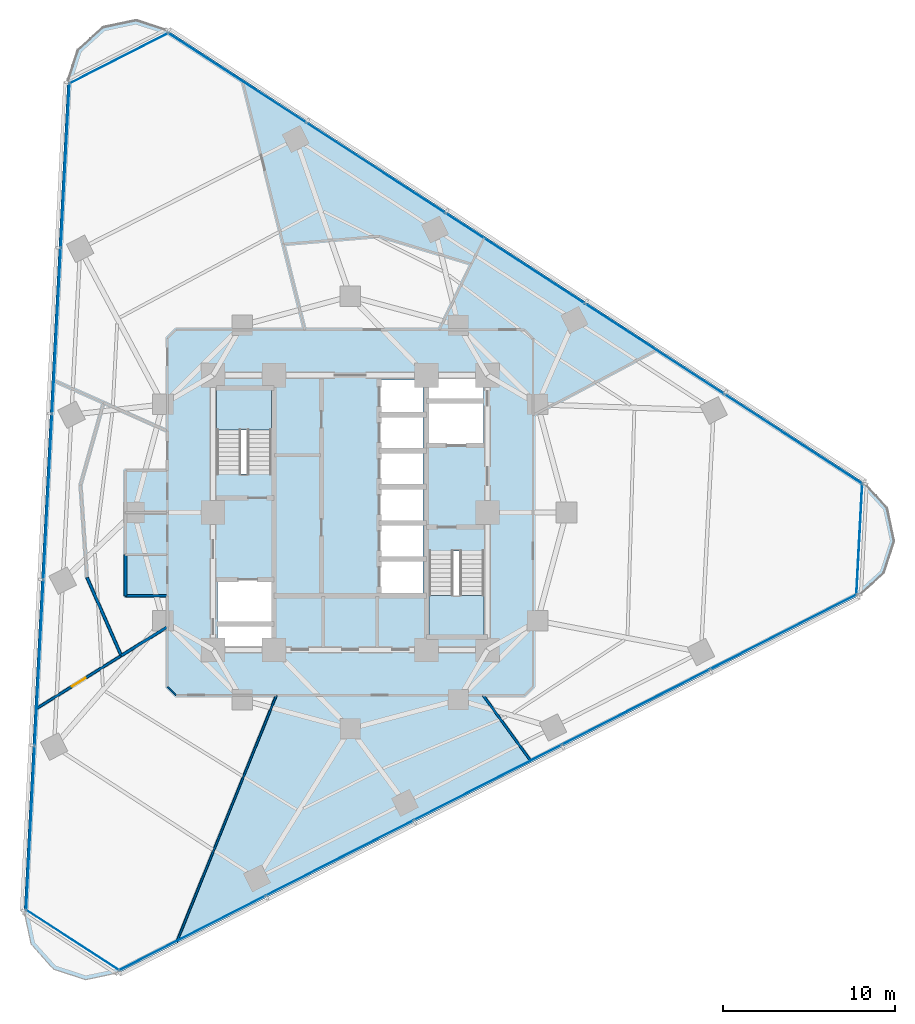
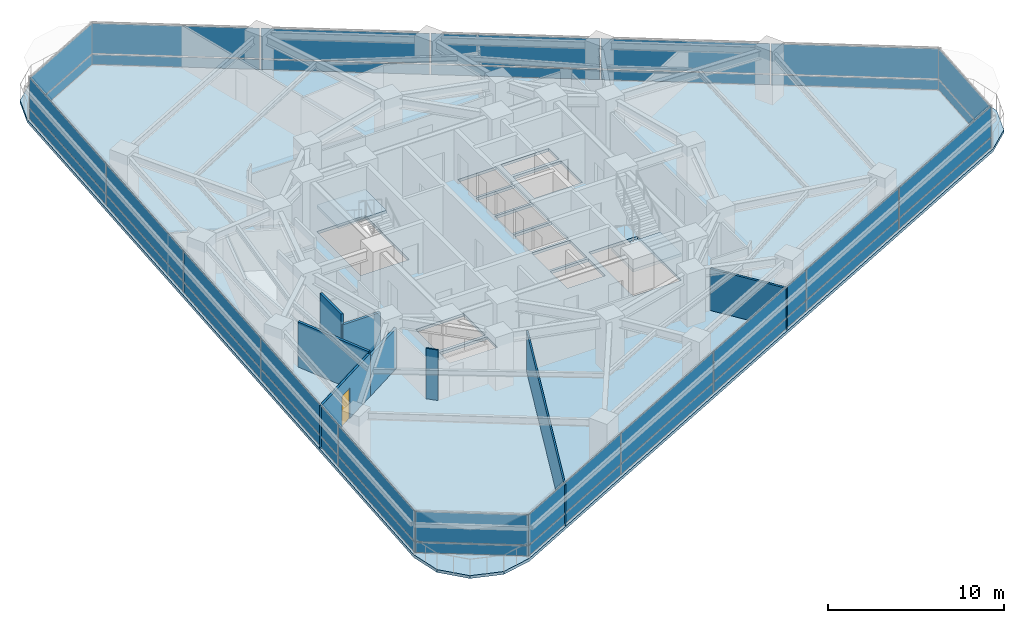
# One storey, part 7 of 14: 36 plates, 8 walls, 3 slabs, 1 door, 1 opening, 8 elements without a shape of their own.
"""IFC4 building model written with IfcOpenShell, lengths in metres."""

from ifc_helpers import new_model, si_unit, direction, frame, frame_2d, origin, origin_2d, place, context, subcontext, project, spatial, polyline, rectangle, outline, extrude, material, layer, layer_set, type_object, element, fill, aggregate, save


model = new_model("IFC4")

# Units and contexts
model_context = context("Model", 3, precision=1e-05, world=origin(), true_north=direction((0.0, 1.0)))
body_context = subcontext(model_context, "Body", "Model", "MODEL_VIEW")
ifc_project = project(units=[si_unit("LENGTHUNIT", "METRE"), si_unit("AREAUNIT", "SQUARE_METRE"), si_unit("VOLUMEUNIT", "CUBIC_METRE"), si_unit("PLANEANGLEUNIT", "RADIAN"), si_unit("MASSUNIT", "GRAM", prefix="KILO")], contexts=[model_context])

# Site, building, storey
site_placement = place(None, origin())
site = spatial("IfcSite", under=ifc_project, at=site_placement, CompositionType="ELEMENT")
building_placement = place(site_placement, origin())
building = spatial("IfcBuilding", under=site, at=building_placement, Name="Terralouvre Media Tower", CompositionType="ELEMENT")
storey_placement = place(building_placement, frame((0.0, 0.0, 138.39990234375)))
storey = spatial("IfcBuildingStorey", under=building, at=storey_placement, Name="L35", CompositionType="ELEMENT", Elevation=138.39990234375)

# Slab
ifc_material_1 = material(Name="Concrete C40/50", Category="concrete")
ifc_layer_1 = layer(ifc_material_1, 0.199951171875, Name="Composite Tower Floor Slab S-TYP200")
ifc_layer_set_1 = layer_set([ifc_layer_1], Name="Concrete C40/50")
slab_type_1 = type_object("IfcSlabType", Name="Composite Tower Floor Slab S-TYP200", PredefinedType="FLOOR", material=ifc_layer_set_1)
slab_1_placement = place(storey_placement, frame((0.0, 0.0, -0.199951171875), z_axis=(0.0, 0.0, 1.0), x_axis=(0.891006524188, 0.45399049974, 0.0)))
element("IfcSlab", 1, at=slab_1_placement, inside=storey, type_object=slab_type_1, Name="L35 Structural Floor Slab", PredefinedType="FLOOR", context=body_context, shape_type="SweptSolid", body=[
    extrude(outline(polyline([(-27.490966796875, -12.07177734375), (-28.0, -13.971923828125), (-27.490966796875, -15.871826171875), (-26.10009765625, -17.2626953125), (-24.199951171875, -17.77197265625), (24.199951171875, -17.77197265625), (26.10009765625, -17.2626953125), (27.490966796875, -15.871826171875), (28.0, -13.971923828125), (27.490966796875, -12.07177734375), (3.291015625, 29.84375), (1.89990234375, 31.234619140625), (0.0, 31.74365234375), (-1.89990234375, 31.234619140625), (-3.291015625, 29.84375), (-27.490966796875, -12.07177734375)]), holes=[polyline([(-7.094970703125, -3.792236328125), (-7.6396484375, -4.861572265625), (-10.446533203125, -3.431396484375), (-9.901611328125, -2.3623046875), (-7.094970703125, -3.792236328125)]), polyline([(-7.004150390625, -3.614013671875), (-9.810791015625, -2.18408203125), (-8.698486328125, -0.0009765625), (-5.891845703125, -1.43115234375), (-7.004150390625, -3.614013671875)]), polyline([(4.504150390625, -0.521728515625), (2.276611328125, 0.61328125), (3.1572265625, 2.341796875), (5.384765625, 1.206787109375), (4.504150390625, -0.521728515625)]), polyline([(6.338134765625, 3.077880859375), (5.45751953125, 1.349365234375), (3.22998046875, 2.484375), (4.110595703125, 4.212890625), (6.338134765625, 3.077880859375)]), polyline([(-3.079345703125, 4.088623046875), (-5.912841796875, 5.532470703125), (-3.635986328125, 10.000732421875), (-0.802734375, 8.55712890625), (-3.079345703125, 4.088623046875)]), polyline([(6.410888671875, 3.220458984375), (4.183349609375, 4.35546875), (5.06396484375, 6.083984375), (7.29150390625, 4.94921875), (6.410888671875, 3.220458984375)]), polyline([(0.802734375, -8.55712890625), (3.079345703125, -4.088623046875), (5.912841796875, -5.532470703125), (3.635986328125, -10.000732421875), (0.802734375, -8.55712890625)]), polyline([(1.64404296875, -6.135009765625), (-0.58349609375, -5.0), (0.297119140625, -3.271484375), (2.524658203125, -4.406494140625), (1.64404296875, -6.135009765625)]), polyline([(2.597412109375, -4.263916015625), (0.369873046875, -3.12890625), (1.25048828125, -1.400390625), (3.47802734375, -2.535400390625), (2.597412109375, -4.263916015625)]), polyline([(4.431396484375, -0.664306640625), (3.55078125, -2.392822265625), (1.3232421875, -1.2578125), (2.203857421875, 0.470703125), (4.431396484375, -0.664306640625)]), polyline([(8.698486328125, 0.0009765625), (5.891845703125, 1.43115234375), (7.004150390625, 3.614013671875), (9.810791015625, 2.18408203125), (8.698486328125, 0.0009765625)]), polyline([(9.901611328125, 2.3623046875), (7.094970703125, 3.792236328125), (7.6396484375, 4.861572265625), (10.446533203125, 3.431396484375), (9.901611328125, 2.3623046875)])]), origin(), (0.0, 0.0, 1.0), 0.199951171875),
])

# Stair, slab
ifc_material_2 = material(Name="Concrete C45/55", Category="concrete")
stair_type_1 = type_object("IfcStairType", Name="Dogleg Stair Assembly ST-01", PredefinedType="HALF_TURN_STAIR", material=ifc_material_2)
stair_1_placement = place(storey_placement, origin())
stair_1 = element("IfcStair", 2, at=stair_1_placement, inside=storey, type_object=stair_type_1, Name="L35 Core Pressurised Exit Stair ST-01", PredefinedType="HALF_TURN_STAIR")
ifc_material_3 = material(Name="Concrete C45/55", Category="concrete")
ifc_layer_2 = layer(ifc_material_3, 0.199951171875, Name="Reinforced Concrete Stair Half-Landing SL-LD1")
ifc_layer_set_2 = layer_set([ifc_layer_2], Name="Concrete C45/55")
slab_type_2 = type_object("IfcSlabType", Name="Reinforced Concrete Stair Half-Landing SL-LD1", PredefinedType="LANDING", material=ifc_layer_set_2)
slab_2_placement = place(storey_placement, frame((0.0, 0.0, 1.650146484375)))
slab_2 = element("IfcSlab", 3, at=slab_2_placement, type_object=slab_type_2, Name="ST-01 landing 1", PredefinedType="LANDING", context=body_context, shape_type="SweptSolid", body=[
    extrude(outline(polyline([(-4.60009765625, 4.820068359375), (-4.60009765625, 7.260009765625), (-7.780029296875, 7.260009765625), (-7.780029296875, 4.820068359375), (-4.60009765625, 4.820068359375)])), origin(), (0.0, 0.0, 1.0), 0.199951171875),
])
aggregate(stair_1, [slab_2])

ifc_material_4 = material(Name="Concrete C45/55", Category="concrete")
stair_type_2 = type_object("IfcStairType", Name="Dogleg Stair Assembly ST-02", PredefinedType="HALF_TURN_STAIR", material=ifc_material_4)
stair_2_placement = place(storey_placement, origin())
stair_2 = element("IfcStair", 4, at=stair_2_placement, inside=storey, type_object=stair_type_2, Name="L35 Core Pressurised Exit Stair ST-02", PredefinedType="HALF_TURN_STAIR")
slab_3_placement = place(storey_placement, frame((0.0, 0.0, 1.650146484375)))
slab_3 = element("IfcSlab", 5, at=slab_3_placement, type_object=slab_type_2, Name="ST-02 landing 1", PredefinedType="LANDING", context=body_context, shape_type="SweptSolid", body=[
    extrude(outline(polyline([(4.60009765625, -4.820068359375), (4.60009765625, -7.260009765625), (7.780029296875, -7.260009765625), (7.780029296875, -4.820068359375), (4.60009765625, -4.820068359375)])), origin(), (0.0, 0.0, 1.0), 0.199951171875),
])
aggregate(stair_2, [slab_3])

# Curtain wall, plates
ifc_material_5 = material(Name="Low-iron laminated double glazing with solar-control coating", Category="glass")
ifc_layer_3 = layer(ifc_material_5, 0.1650390625, Name="Rounded Wind-Corner Curved Glazing CW-04")
ifc_layer_set_3 = layer_set([ifc_layer_3], Name="Low-iron laminated double glazing with solar-control coating")
curtain_wall_type_1 = type_object("IfcCurtainWallType", Name="Rounded Wind-Corner Curved Glazing CW-04", PredefinedType="NOTDEFINED", material=ifc_layer_set_3)
curtain_wall_1_placement = place(storey_placement, origin())
curtain_wall_1 = element("IfcCurtainWall", 6, at=curtain_wall_1_placement, inside=storey, type_object=curtain_wall_type_1, Name="L35 Rounded Wind-Corner Curtain Wall C0", PredefinedType="NOTDEFINED")
ifc_material_6 = material(Name="Low-iron laminated double glazing with solar-control coating", Category="glass")
ifc_layer_4 = layer(ifc_material_6, 0.0400390625, Name="Rounded Corner Laminated Vision Panel CWP-03")
ifc_layer_set_4 = layer_set([ifc_layer_4], Name="Low-iron laminated double glazing with solar-control coating")
plate_type_1 = type_object("IfcPlateType", Name="Rounded Corner Laminated Vision Panel CWP-03", PredefinedType="CURTAIN_PANEL", material=ifc_layer_set_4)
plate_1_placement = place(storey_placement, frame((-16.177734375, -24.91162109375, 0.0751953125), z_axis=(0.0, 0.0, 1.0), x_axis=(0.838670390568, -0.544639308152, 0.0)))
plate_1 = element("IfcPlate", 7, at=plate_1_placement, type_object=plate_type_1, Name="CW-04 panel 1.1", PredefinedType="CURTAIN_PANEL", context=body_context, shape_type="SweptSolid", body=[
    extrude(rectangle(XDim=6.431884765625, YDim=0.035888671875, at=origin_2d()), origin(), (0.0, 0.0, 1.0), 0.6875),
])
plate_2_placement = place(storey_placement, frame((-16.177734375, -24.91162109375, 0.837646484375), z_axis=(0.0, 0.0, 1.0), x_axis=(0.838670390568, -0.544639308152, 0.0)))
plate_2 = element("IfcPlate", 8, at=plate_2_placement, type_object=plate_type_1, Name="CW-04 panel 1.2", PredefinedType="CURTAIN_PANEL", context=body_context, shape_type="SweptSolid", body=[
    extrude(rectangle(XDim=6.431884765625, YDim=0.035888671875, at=origin_2d()), origin(), (0.0, 0.0, 1.0), 2.08740234375),
])
aggregate(curtain_wall_1, [plate_1, plate_2])

curtain_wall_2_placement = place(storey_placement, origin())
curtain_wall_2 = element("IfcCurtainWall", 9, at=curtain_wall_2_placement, inside=storey, type_object=curtain_wall_type_1, Name="L35 Rounded Wind-Corner Curtain Wall C1", PredefinedType="NOTDEFINED")
plate_3_placement = place(storey_placement, frame((29.6630859375, -1.5546875, 0.0751953125), z_axis=(0.0, 0.0, 1.0), x_axis=(0.052336823006, 0.998629489329, 0.0)))
plate_3 = element("IfcPlate", 10, at=plate_3_placement, type_object=plate_type_1, Name="CW-04 panel 1.1", PredefinedType="CURTAIN_PANEL", context=body_context, shape_type="SweptSolid", body=[
    extrude(rectangle(XDim=6.431884765625, YDim=0.035888671875, at=origin_2d()), origin(), (0.0, 0.0, 1.0), 0.6875),
])
plate_4_placement = place(storey_placement, frame((29.6630859375, -1.5546875, 0.837646484375), z_axis=(0.0, 0.0, 1.0), x_axis=(0.052336823006, 0.998629489329, 0.0)))
plate_4 = element("IfcPlate", 11, at=plate_4_placement, type_object=plate_type_1, Name="CW-04 panel 1.2", PredefinedType="CURTAIN_PANEL", context=body_context, shape_type="SweptSolid", body=[
    extrude(rectangle(XDim=6.431884765625, YDim=0.035888671875, at=origin_2d()), origin(), (0.0, 0.0, 1.0), 2.08740234375),
])
aggregate(curtain_wall_2, [plate_3, plate_4])

curtain_wall_3_placement = place(storey_placement, origin())
curtain_wall_3 = element("IfcCurtainWall", 12, at=curtain_wall_3_placement, inside=storey, type_object=curtain_wall_type_1, Name="L35 Rounded Wind-Corner Curtain Wall C2", PredefinedType="NOTDEFINED")
plate_5_placement = place(storey_placement, frame((-13.485107421875, 26.46630859375, 0.0751953125), z_axis=(0.0, 0.0, 1.0), x_axis=(-0.891006600184, -0.45399035059, 0.0)))
plate_5 = element("IfcPlate", 13, at=plate_5_placement, type_object=plate_type_1, Name="CW-04 panel 1.1", PredefinedType="CURTAIN_PANEL", context=body_context, shape_type="SweptSolid", body=[
    extrude(rectangle(XDim=6.431884765625, YDim=0.035888671875, at=origin_2d()), origin(), (0.0, 0.0, 1.0), 0.6875),
])
plate_6_placement = place(storey_placement, frame((-13.485107421875, 26.46630859375, 0.837646484375), z_axis=(0.0, 0.0, 1.0), x_axis=(-0.891006600184, -0.45399035059, 0.0)))
plate_6 = element("IfcPlate", 14, at=plate_6_placement, type_object=plate_type_1, Name="CW-04 panel 1.2", PredefinedType="CURTAIN_PANEL", context=body_context, shape_type="SweptSolid", body=[
    extrude(rectangle(XDim=6.431884765625, YDim=0.035888671875, at=origin_2d()), origin(), (0.0, 0.0, 1.0), 2.08740234375),
])
aggregate(curtain_wall_3, [plate_5, plate_6])

ifc_material_7 = material(Name="Low-iron laminated double glazing with solar-control coating", Category="glass")
ifc_layer_5 = layer(ifc_material_7, 0.1650390625, Name="Production Studio Tower Curtain Wall CW-03")
ifc_layer_set_5 = layer_set([ifc_layer_5], Name="Low-iron laminated double glazing with solar-control coating")
curtain_wall_type_2 = type_object("IfcCurtainWallType", Name="Production Studio Tower Curtain Wall CW-03", PredefinedType="NOTDEFINED", material=ifc_layer_set_5)
curtain_wall_4_placement = place(storey_placement, origin())
curtain_wall_4 = element("IfcCurtainWall", 15, at=curtain_wall_4_placement, inside=storey, type_object=curtain_wall_type_2, Name="L35 Facade Curtain Wall F0", PredefinedType="NOTDEFINED")
ifc_material_8 = material(Name="Low-iron laminated double glazing with solar-control coating", Category="glass")
ifc_layer_6 = layer(ifc_material_8, 0.035888671875, Name="Vision Double-Glazed Unit CWP-01")
ifc_layer_set_6 = layer_set([ifc_layer_6], Name="Low-iron laminated double glazing with solar-control coating")
plate_type_2 = type_object("IfcPlateType", Name="Vision Double-Glazed Unit CWP-01", PredefinedType="CURTAIN_PANEL", material=ifc_layer_set_6)
plate_7_placement = place(storey_placement, frame((-9.219482421875, -24.5087890625, 0.0751953125), z_axis=(0.0, 0.0, 1.0), x_axis=(0.891006501178, 0.4539905449, 0.0)))
plate_7 = element("IfcPlate", 16, at=plate_7_placement, type_object=plate_type_2, Name="CW-03 panel 1.1", PredefinedType="CURTAIN_PANEL", context=body_context, shape_type="SweptSolid", body=[
    extrude(rectangle(XDim=9.5673828125, YDim=0.035888671875, at=origin_2d()), origin(), (0.0, 0.0, 1.0), 0.6875),
])
plate_8_placement = place(storey_placement, frame((-9.219482421875, -24.5087890625, 0.837646484375), z_axis=(0.0, 0.0, 1.0), x_axis=(0.891006501178, 0.4539905449, 0.0)))
plate_8 = element("IfcPlate", 17, at=plate_8_placement, type_object=plate_type_2, Name="CW-03 panel 1.2", PredefinedType="CURTAIN_PANEL", context=body_context, shape_type="SweptSolid", body=[
    extrude(rectangle(XDim=9.5673828125, YDim=0.035888671875, at=origin_2d()), origin(), (0.0, 0.0, 1.0), 2.08740234375),
])
plate_9_placement = place(storey_placement, frame((-0.611083984375, -20.12255859375, 0.0751953125), z_axis=(0.0, 0.0, 1.0), x_axis=(0.891006501178, 0.4539905449, 0.0)))
plate_9 = element("IfcPlate", 18, at=plate_9_placement, type_object=plate_type_2, Name="CW-03 panel 2.1", PredefinedType="CURTAIN_PANEL", context=body_context, shape_type="SweptSolid", body=[
    extrude(rectangle(XDim=9.60498046875, YDim=0.035888671875, at=origin_2d()), origin(), (0.0, 0.0, 1.0), 0.6875),
])
plate_10_placement = place(storey_placement, frame((-0.611083984375, -20.12255859375, 0.837646484375), z_axis=(0.0, 0.0, 1.0), x_axis=(0.891006501178, 0.4539905449, 0.0)))
plate_10 = element("IfcPlate", 19, at=plate_10_placement, type_object=plate_type_2, Name="CW-03 panel 2.2", PredefinedType="CURTAIN_PANEL", context=body_context, shape_type="SweptSolid", body=[
    extrude(rectangle(XDim=9.60498046875, YDim=0.035888671875, at=origin_2d()), origin(), (0.0, 0.0, 1.0), 2.08740234375),
])
plate_11_placement = place(storey_placement, frame((8.013671875, -15.72802734375, 0.0751953125), z_axis=(0.0, 0.0, 1.0), x_axis=(0.891006501178, 0.4539905449, 0.0)))
plate_11 = element("IfcPlate", 20, at=plate_11_placement, type_object=plate_type_2, Name="CW-03 panel 3.1", PredefinedType="CURTAIN_PANEL", context=body_context, shape_type="SweptSolid", body=[
    extrude(rectangle(XDim=9.60498046875, YDim=0.035888671875, at=origin_2d()), origin(), (0.0, 0.0, 1.0), 0.6875),
])
plate_12_placement = place(storey_placement, frame((8.013671875, -15.72802734375, 0.837646484375), z_axis=(0.0, 0.0, 1.0), x_axis=(0.891006501178, 0.4539905449, 0.0)))
plate_12 = element("IfcPlate", 21, at=plate_12_placement, type_object=plate_type_2, Name="CW-03 panel 3.2", PredefinedType="CURTAIN_PANEL", context=body_context, shape_type="SweptSolid", body=[
    extrude(rectangle(XDim=9.60498046875, YDim=0.035888671875, at=origin_2d()), origin(), (0.0, 0.0, 1.0), 2.08740234375),
])
plate_13_placement = place(storey_placement, frame((16.638671875, -11.333251953125, 0.0751953125), z_axis=(0.0, 0.0, 1.0), x_axis=(0.891006501178, 0.4539905449, 0.0)))
plate_13 = element("IfcPlate", 22, at=plate_13_placement, type_object=plate_type_2, Name="CW-03 panel 4.1", PredefinedType="CURTAIN_PANEL", context=body_context, shape_type="SweptSolid", body=[
    extrude(rectangle(XDim=9.60498046875, YDim=0.035888671875, at=origin_2d()), origin(), (0.0, 0.0, 1.0), 0.6875),
])
plate_14_placement = place(storey_placement, frame((16.638671875, -11.333251953125, 0.837646484375), z_axis=(0.0, 0.0, 1.0), x_axis=(0.891006501178, 0.4539905449, 0.0)))
plate_14 = element("IfcPlate", 23, at=plate_14_placement, type_object=plate_type_2, Name="CW-03 panel 4.2", PredefinedType="CURTAIN_PANEL", context=body_context, shape_type="SweptSolid", body=[
    extrude(rectangle(XDim=9.60498046875, YDim=0.035888671875, at=origin_2d()), origin(), (0.0, 0.0, 1.0), 2.08740234375),
])
plate_15_placement = place(storey_placement, frame((25.2470703125, -6.947265625, 0.0751953125), z_axis=(0.0, 0.0, 1.0), x_axis=(0.891006501178, 0.4539905449, 0.0)))
plate_15 = element("IfcPlate", 24, at=plate_15_placement, type_object=plate_type_2, Name="CW-03 panel 5.1", PredefinedType="CURTAIN_PANEL", context=body_context, shape_type="SweptSolid", body=[
    extrude(rectangle(XDim=9.5673828125, YDim=0.035888671875, at=origin_2d()), origin(), (0.0, 0.0, 1.0), 0.6875),
])
plate_16_placement = place(storey_placement, frame((25.2470703125, -6.947265625, 0.837646484375), z_axis=(0.0, 0.0, 1.0), x_axis=(0.891006501178, 0.4539905449, 0.0)))
plate_16 = element("IfcPlate", 25, at=plate_16_placement, type_object=plate_type_2, Name="CW-03 panel 5.2", PredefinedType="CURTAIN_PANEL", context=body_context, shape_type="SweptSolid", body=[
    extrude(rectangle(XDim=9.5673828125, YDim=0.035888671875, at=origin_2d()), origin(), (0.0, 0.0, 1.0), 2.08740234375),
])
aggregate(curtain_wall_4, [plate_7, plate_8, plate_9, plate_10, plate_11, plate_12, plate_13, plate_14, plate_15, plate_16])

curtain_wall_5_placement = place(storey_placement, origin())
curtain_wall_5 = element("IfcCurtainWall", 26, at=curtain_wall_5_placement, inside=storey, type_object=curtain_wall_type_2, Name="L35 Facade Curtain Wall F1", PredefinedType="NOTDEFINED")
plate_17_placement = place(storey_placement, frame((25.8349609375, 4.27001953125, 0.0751953125), z_axis=(0.0, 0.0, 1.0), x_axis=(-0.838670588944, 0.544639002681, 0.0)))
plate_17 = element("IfcPlate", 27, at=plate_17_placement, type_object=plate_type_2, Name="CW-03 panel 1.1", PredefinedType="CURTAIN_PANEL", context=body_context, shape_type="SweptSolid", body=[
    extrude(rectangle(XDim=9.5673828125, YDim=0.035888671875, at=origin_2d()), origin(), (0.0, 0.0, 1.0), 0.6875),
])
plate_18_placement = place(storey_placement, frame((25.8349609375, 4.27001953125, 0.837646484375), z_axis=(0.0, 0.0, 1.0), x_axis=(-0.838670588944, 0.544639002681, 0.0)))
plate_18 = element("IfcPlate", 28, at=plate_18_placement, type_object=plate_type_2, Name="CW-03 panel 1.2", PredefinedType="CURTAIN_PANEL", context=body_context, shape_type="SweptSolid", body=[
    extrude(rectangle(XDim=9.5673828125, YDim=0.035888671875, at=origin_2d()), origin(), (0.0, 0.0, 1.0), 2.08740234375),
])
plate_19_placement = place(storey_placement, frame((17.732177734375, 9.531982421875, 0.0751953125), z_axis=(0.0, 0.0, 1.0), x_axis=(-0.838670588944, 0.544639002681, 0.0)))
plate_19 = element("IfcPlate", 29, at=plate_19_placement, type_object=plate_type_2, Name="CW-03 panel 2.1", PredefinedType="CURTAIN_PANEL", context=body_context, shape_type="SweptSolid", body=[
    extrude(rectangle(XDim=9.60498046875, YDim=0.035888671875, at=origin_2d()), origin(), (0.0, 0.0, 1.0), 0.6875),
])
plate_20_placement = place(storey_placement, frame((17.732177734375, 9.531982421875, 0.837646484375), z_axis=(0.0, 0.0, 1.0), x_axis=(-0.838670588944, 0.544639002681, 0.0)))
plate_20 = element("IfcPlate", 30, at=plate_20_placement, type_object=plate_type_2, Name="CW-03 panel 2.2", PredefinedType="CURTAIN_PANEL", context=body_context, shape_type="SweptSolid", body=[
    extrude(rectangle(XDim=9.60498046875, YDim=0.035888671875, at=origin_2d()), origin(), (0.0, 0.0, 1.0), 2.08740234375),
])
plate_21_placement = place(storey_placement, frame((9.614013671875, 14.80419921875, 0.0751953125), z_axis=(0.0, 0.0, 1.0), x_axis=(-0.838670588944, 0.544639002681, 0.0)))
plate_21 = element("IfcPlate", 31, at=plate_21_placement, type_object=plate_type_2, Name="CW-03 panel 3.1", PredefinedType="CURTAIN_PANEL", context=body_context, shape_type="SweptSolid", body=[
    extrude(rectangle(XDim=9.60498046875, YDim=0.035888671875, at=origin_2d()), origin(), (0.0, 0.0, 1.0), 0.6875),
])
plate_22_placement = place(storey_placement, frame((9.614013671875, 14.80419921875, 0.837646484375), z_axis=(0.0, 0.0, 1.0), x_axis=(-0.838670588944, 0.544639002681, 0.0)))
plate_22 = element("IfcPlate", 32, at=plate_22_placement, type_object=plate_type_2, Name="CW-03 panel 3.2", PredefinedType="CURTAIN_PANEL", context=body_context, shape_type="SweptSolid", body=[
    extrude(rectangle(XDim=9.60498046875, YDim=0.035888671875, at=origin_2d()), origin(), (0.0, 0.0, 1.0), 2.08740234375),
])
plate_23_placement = place(storey_placement, frame((1.49560546875, 20.076171875, 0.0751953125), z_axis=(0.0, 0.0, 1.0), x_axis=(-0.838670588944, 0.544639002681, 0.0)))
plate_23 = element("IfcPlate", 33, at=plate_23_placement, type_object=plate_type_2, Name="CW-03 panel 4.1", PredefinedType="CURTAIN_PANEL", context=body_context, shape_type="SweptSolid", body=[
    extrude(rectangle(XDim=9.60498046875, YDim=0.035888671875, at=origin_2d()), origin(), (0.0, 0.0, 1.0), 0.6875),
])
plate_24_placement = place(storey_placement, frame((1.49560546875, 20.076171875, 0.837646484375), z_axis=(0.0, 0.0, 1.0), x_axis=(-0.838670588944, 0.544639002681, 0.0)))
plate_24 = element("IfcPlate", 34, at=plate_24_placement, type_object=plate_type_2, Name="CW-03 panel 4.2", PredefinedType="CURTAIN_PANEL", context=body_context, shape_type="SweptSolid", body=[
    extrude(rectangle(XDim=9.60498046875, YDim=0.035888671875, at=origin_2d()), origin(), (0.0, 0.0, 1.0), 2.08740234375),
])
plate_25_placement = place(storey_placement, frame((-6.60693359375, 25.338134765625, 0.0751953125), z_axis=(0.0, 0.0, 1.0), x_axis=(-0.838670588944, 0.544639002681, 0.0)))
plate_25 = element("IfcPlate", 35, at=plate_25_placement, type_object=plate_type_2, Name="CW-03 panel 5.1", PredefinedType="CURTAIN_PANEL", context=body_context, shape_type="SweptSolid", body=[
    extrude(rectangle(XDim=9.5673828125, YDim=0.035888671875, at=origin_2d()), origin(), (0.0, 0.0, 1.0), 0.6875),
])
plate_26_placement = place(storey_placement, frame((-6.60693359375, 25.338134765625, 0.837646484375), z_axis=(0.0, 0.0, 1.0), x_axis=(-0.838670588944, 0.544639002681, 0.0)))
plate_26 = element("IfcPlate", 36, at=plate_26_placement, type_object=plate_type_2, Name="CW-03 panel 5.2", PredefinedType="CURTAIN_PANEL", context=body_context, shape_type="SweptSolid", body=[
    extrude(rectangle(XDim=9.5673828125, YDim=0.035888671875, at=origin_2d()), origin(), (0.0, 0.0, 1.0), 2.08740234375),
])
aggregate(curtain_wall_5, [plate_17, plate_18, plate_19, plate_20, plate_21, plate_22, plate_23, plate_24, plate_25, plate_26])

curtain_wall_6_placement = place(storey_placement, origin())
curtain_wall_6 = element("IfcCurtainWall", 37, at=curtain_wall_6_placement, inside=storey, type_object=curtain_wall_type_2, Name="L35 Facade Curtain Wall F2", PredefinedType="NOTDEFINED")
plate_27_placement = place(storey_placement, frame((-16.615478515625, 20.238525390625, 0.0751953125), z_axis=(0.0, 0.0, 1.0), x_axis=(-0.052335949864, -0.998629535089, 0.0)))
plate_27 = element("IfcPlate", 38, at=plate_27_placement, type_object=plate_type_2, Name="CW-03 panel 1.1", PredefinedType="CURTAIN_PANEL", context=body_context, shape_type="SweptSolid", body=[
    extrude(rectangle(XDim=9.5673828125, YDim=0.035888671875, at=origin_2d()), origin(), (0.0, 0.0, 1.0), 0.6875),
])
plate_28_placement = place(storey_placement, frame((-16.615478515625, 20.238525390625, 0.837646484375), z_axis=(0.0, 0.0, 1.0), x_axis=(-0.052335949864, -0.998629535089, 0.0)))
plate_28 = element("IfcPlate", 39, at=plate_28_placement, type_object=plate_type_2, Name="CW-03 panel 1.2", PredefinedType="CURTAIN_PANEL", context=body_context, shape_type="SweptSolid", body=[
    extrude(rectangle(XDim=9.5673828125, YDim=0.035888671875, at=origin_2d()), origin(), (0.0, 0.0, 1.0), 2.08740234375),
])
plate_29_placement = place(storey_placement, frame((-17.12109375, 10.590576171875, 0.0751953125), z_axis=(0.0, 0.0, 1.0), x_axis=(-0.052335949864, -0.998629535089, 0.0)))
plate_29 = element("IfcPlate", 40, at=plate_29_placement, type_object=plate_type_2, Name="CW-03 panel 2.1", PredefinedType="CURTAIN_PANEL", context=body_context, shape_type="SweptSolid", body=[
    extrude(rectangle(XDim=9.60498046875, YDim=0.035888671875, at=origin_2d()), origin(), (0.0, 0.0, 1.0), 0.6875),
])
plate_30_placement = place(storey_placement, frame((-17.12109375, 10.590576171875, 0.837646484375), z_axis=(0.0, 0.0, 1.0), x_axis=(-0.052335949864, -0.998629535089, 0.0)))
plate_30 = element("IfcPlate", 41, at=plate_30_placement, type_object=plate_type_2, Name="CW-03 panel 2.2", PredefinedType="CURTAIN_PANEL", context=body_context, shape_type="SweptSolid", body=[
    extrude(rectangle(XDim=9.60498046875, YDim=0.035888671875, at=origin_2d()), origin(), (0.0, 0.0, 1.0), 2.08740234375),
])
plate_31_placement = place(storey_placement, frame((-17.627685546875, 0.923828125, 0.0751953125), z_axis=(0.0, 0.0, 1.0), x_axis=(-0.052335949864, -0.998629535089, 0.0)))
plate_31 = element("IfcPlate", 42, at=plate_31_placement, type_object=plate_type_2, Name="CW-03 panel 3.1", PredefinedType="CURTAIN_PANEL", context=body_context, shape_type="SweptSolid", body=[
    extrude(rectangle(XDim=9.60498046875, YDim=0.035888671875, at=origin_2d()), origin(), (0.0, 0.0, 1.0), 0.6875),
])
plate_32_placement = place(storey_placement, frame((-17.627685546875, 0.923828125, 0.837646484375), z_axis=(0.0, 0.0, 1.0), x_axis=(-0.052335949864, -0.998629535089, 0.0)))
plate_32 = element("IfcPlate", 43, at=plate_32_placement, type_object=plate_type_2, Name="CW-03 panel 3.2", PredefinedType="CURTAIN_PANEL", context=body_context, shape_type="SweptSolid", body=[
    extrude(rectangle(XDim=9.60498046875, YDim=0.035888671875, at=origin_2d()), origin(), (0.0, 0.0, 1.0), 2.08740234375),
])
plate_33_placement = place(storey_placement, frame((-18.13427734375, -8.742919921875, 0.0751953125), z_axis=(0.0, 0.0, 1.0), x_axis=(-0.052335949864, -0.998629535089, 0.0)))
plate_33 = element("IfcPlate", 44, at=plate_33_placement, type_object=plate_type_2, Name="CW-03 panel 4.1", PredefinedType="CURTAIN_PANEL", context=body_context, shape_type="SweptSolid", body=[
    extrude(rectangle(XDim=9.60498046875, YDim=0.035888671875, at=origin_2d()), origin(), (0.0, 0.0, 1.0), 0.6875),
])
plate_34_placement = place(storey_placement, frame((-18.13427734375, -8.742919921875, 0.837646484375), z_axis=(0.0, 0.0, 1.0), x_axis=(-0.052335949864, -0.998629535089, 0.0)))
plate_34 = element("IfcPlate", 45, at=plate_34_placement, type_object=plate_type_2, Name="CW-03 panel 4.2", PredefinedType="CURTAIN_PANEL", context=body_context, shape_type="SweptSolid", body=[
    extrude(rectangle(XDim=9.60498046875, YDim=0.035888671875, at=origin_2d()), origin(), (0.0, 0.0, 1.0), 2.08740234375),
])
plate_35_placement = place(storey_placement, frame((-18.639892578125, -18.390869140625, 0.0751953125), z_axis=(0.0, 0.0, 1.0), x_axis=(-0.052335949864, -0.998629535089, 0.0)))
plate_35 = element("IfcPlate", 46, at=plate_35_placement, type_object=plate_type_2, Name="CW-03 panel 5.1", PredefinedType="CURTAIN_PANEL", context=body_context, shape_type="SweptSolid", body=[
    extrude(rectangle(XDim=9.5673828125, YDim=0.035888671875, at=origin_2d()), origin(), (0.0, 0.0, 1.0), 0.6875),
])
plate_36_placement = place(storey_placement, frame((-18.639892578125, -18.390869140625, 0.837646484375), z_axis=(0.0, 0.0, 1.0), x_axis=(-0.052335949864, -0.998629535089, 0.0)))
plate_36 = element("IfcPlate", 47, at=plate_36_placement, type_object=plate_type_2, Name="CW-03 panel 5.2", PredefinedType="CURTAIN_PANEL", context=body_context, shape_type="SweptSolid", body=[
    extrude(rectangle(XDim=9.5673828125, YDim=0.035888671875, at=origin_2d()), origin(), (0.0, 0.0, 1.0), 2.08740234375),
])
aggregate(curtain_wall_6, [plate_27, plate_28, plate_29, plate_30, plate_31, plate_32, plate_33, plate_34, plate_35, plate_36])

# Walls
ifc_material_9 = material(Name="Low-iron laminated double glazing with solar-control coating", Category="glass")
ifc_layer_7 = layer(ifc_material_9, 0.10009765625, Name="Demountable Glazed Office Partition PT-GL100")
ifc_layer_set_7 = layer_set([ifc_layer_7], Name="Low-iron laminated double glazing with solar-control coating")
wall_type_1 = type_object("IfcWallType", Name="Demountable Glazed Office Partition PT-GL100", PredefinedType="MOVABLE", material=ifc_layer_set_7)
wall_1_placement = place(storey_placement, frame((-10.64990234375, -10.14990234375, 0.0), z_axis=(0.0, 0.0, 1.0), x_axis=(0.707106781187, -0.707106781187, 0.0)))
element("IfcWall", 48, at=wall_1_placement, inside=storey, type_object=wall_type_1, Name="L35 Interior Partition 006", PredefinedType="MOVABLE", context=body_context, shape_type="SweptSolid", body=[
    extrude(rectangle(XDim=0.70703125, YDim=0.10009765625, at=frame_2d((0.353515625, 0.0))), origin(), (0.0, 0.0, 1.0), 3.5),
])
wall_2_placement = place(storey_placement, frame((-10.101806640625, -25.003173828125, 0.0), z_axis=(0.0, 0.0, 1.0), x_axis=(0.374591600556, 0.927189911935, 0.0)))
element("IfcWall", 49, at=wall_2_placement, inside=storey, type_object=wall_type_1, Name="L35 Interior Partition 034", PredefinedType="MOVABLE", context=body_context, shape_type="SweptSolid", body=[
    extrude(rectangle(XDim=15.48046875, YDim=0.10009765625, at=frame_2d((7.740234375, 0.0))), origin(), (0.0, 0.0, 1.0), 2.78515625),
])

# Wall, opening, door
ifc_material_10 = material(Name="Fire-rated gypsum board drywall partition")
ifc_layer_8 = layer(ifc_material_10, 0.135009765625, Name="Newsroom Acoustic Partition PT-135")
ifc_layer_set_8 = layer_set([ifc_layer_8], Name="Fire-rated gypsum board drywall partition")
wall_type_2 = type_object("IfcWallType", Name="Newsroom Acoustic Partition PT-135", PredefinedType="PARTITIONING", material=ifc_layer_set_8)
wall_3_placement = place(storey_placement, frame((-18.31591796875, -11.444580078125, 0.0), z_axis=(0.0, 0.0, 1.0), x_axis=(0.848103549297, 0.529830510324, 0.0)))
wall_3 = element("IfcWall", 50, at=wall_3_placement, inside=storey, type_object=wall_type_2, Name="L35 Interior Partition 032", PredefinedType="PARTITIONING", context=body_context, shape_type="SweptSolid", body=[
    extrude(rectangle(XDim=5.863525390625, YDim=0.135009765625, at=frame_2d((2.931640625, 0.0))), origin(), (0.0, 0.0, 1.0), 2.985107421875),
])
opening_placement = place(wall_3_placement, frame((2.4716796875, 0.0, 0.0)))
opening = element("IfcOpeningElement", 51, at=opening_placement, cuts=wall_3, Name="Opening ID-03-92X210", PredefinedType="OPENING", context=body_context, shape_type="SweptSolid", body=[
    extrude(rectangle(XDim=0.919921875, YDim=2.10009765625, at=frame_2d((0.4599609375, 1.050048828125))), frame((0.0, 0.077392578125, 0.0), z_axis=(0.0, -1.0, 0.0), x_axis=(1.0, 0.0, 0.0)), (0.0, 0.0, 1.0), 0.155029296875),
])
ifc_material_11 = material(Name="Engineered hardwood acoustic timber leaf", Category="wood")
door_type = type_object("IfcDoorType", Name="Accessible Restroom and Suite Door ID-03 (920x2100)", OperationType="NOTDEFINED", PredefinedType="DOOR", material=ifc_material_11)
door_placement = place(opening_placement, origin())
door = element("IfcDoor", 52, at=door_placement, inside=storey, type_object=door_type, Name="L35 Classical and Jazz Listening Library 2 Door", OperationType="SINGLE_SWING_RIGHT", OverallHeight=2.10009765625, OverallWidth=0.919921875, PredefinedType="DOOR", context=body_context, shape_type="SweptSolid", body=[
    extrude(rectangle(XDim=0.919921875, YDim=2.10009765625, at=frame_2d((0.4599609375, 1.050048828125))), frame((0.0, 0.02490234375, 0.0), z_axis=(0.0, -1.0, 0.0), x_axis=(1.0, 0.0, 0.0)), (0.0, 0.0, 1.0), 0.050048828125),
])
fill(opening, door)

# Walls
wall_4_placement = place(storey_placement, frame((10.528564453125, -14.491455078125, 0.0), z_axis=(0.0, 0.0, 1.0), x_axis=(-0.58771300603, 0.809069479429, 0.0)))
element("IfcWall", 53, at=wall_4_placement, inside=storey, type_object=wall_type_2, Name="L35 Interior Partition 035", PredefinedType="PARTITIONING", context=body_context, shape_type="SweptSolid", body=[
    extrude(rectangle(XDim=4.748046875, YDim=0.135009765625, at=frame_2d((2.3740234375, 0.0))), origin(), (0.0, 0.0, 1.0), 2.885009765625),
])
ifc_material_12 = material(Name="Fire-rated gypsum board drywall partition")
ifc_layer_9 = layer(ifc_material_12, 0.159912109375, Name="Studio Acoustic Rated Partition PT-160")
ifc_layer_set_9 = layer_set([ifc_layer_9], Name="Fire-rated gypsum board drywall partition")
wall_type_3 = type_object("IfcWallType", Name="Studio Acoustic Rated Partition PT-160", PredefinedType="PARTITIONING", material=ifc_layer_set_9)
wall_5_placement = place(storey_placement, frame((-15.342041015625, -3.778076171875, 0.0), z_axis=(0.0, 0.0, 1.0), x_axis=(0.401510696769, -0.915854333604, 0.0)))
element("IfcWall", 54, at=wall_5_placement, inside=storey, type_object=wall_type_3, Name="L35 Interior Partition 023", PredefinedType="PARTITIONING", context=body_context, shape_type="SweptSolid", body=[
    extrude(rectangle(XDim=4.978759765625, YDim=0.159912109375, at=frame_2d((2.4892578125, 0.0))), origin(), (0.0, 0.0, 1.0), 3.125),
])
wall_6_placement = place(storey_placement, frame((-10.64990234375, -4.85009765625, 0.0), z_axis=(0.0, 0.0, 1.0), x_axis=(-1.0, 0.0, 0.0)))
element("IfcWall", 55, at=wall_6_placement, inside=storey, type_object=wall_type_3, Name="L35 Interior Partition 024", PredefinedType="PARTITIONING", context=body_context, shape_type="SweptSolid", body=[
    extrude(rectangle(XDim=2.4501953125, YDim=0.159912109375, at=frame_2d((1.22509765625, 0.0))), origin(), (0.0, 0.0, 1.0), 2.78515625),
])
wall_7_placement = place(storey_placement, frame((-13.10009765625, -4.85009765625, 0.0), z_axis=(0.0, 0.0, 1.0), x_axis=(0.0, 1.0, 0.0)))
element("IfcWall", 56, at=wall_7_placement, inside=storey, type_object=wall_type_3, Name="L35 Interior Partition 025", PredefinedType="PARTITIONING", context=body_context, shape_type="SweptSolid", body=[
    extrude(rectangle(XDim=2.400146484375, YDim=0.159912109375, at=frame_2d((1.2001953125, 0.0))), origin(), (0.0, 0.0, 1.0), 3.5),
])
wall_8_placement = place(storey_placement, frame((-13.343017578125, -8.337890625, 0.0), z_axis=(0.0, 0.0, 1.0), x_axis=(0.848045809732, 0.52992292326, 0.0)))
element("IfcWall", 57, at=wall_8_placement, inside=storey, type_object=wall_type_3, Name="L35 Interior Partition 026", PredefinedType="PARTITIONING", context=body_context, shape_type="SweptSolid", body=[
    extrude(rectangle(XDim=3.17578125, YDim=0.159912109375, at=frame_2d((1.587890625, 0.0))), origin(), (0.0, 0.0, 1.0), 2.78515625),
])

save(model, "model.ifc")
